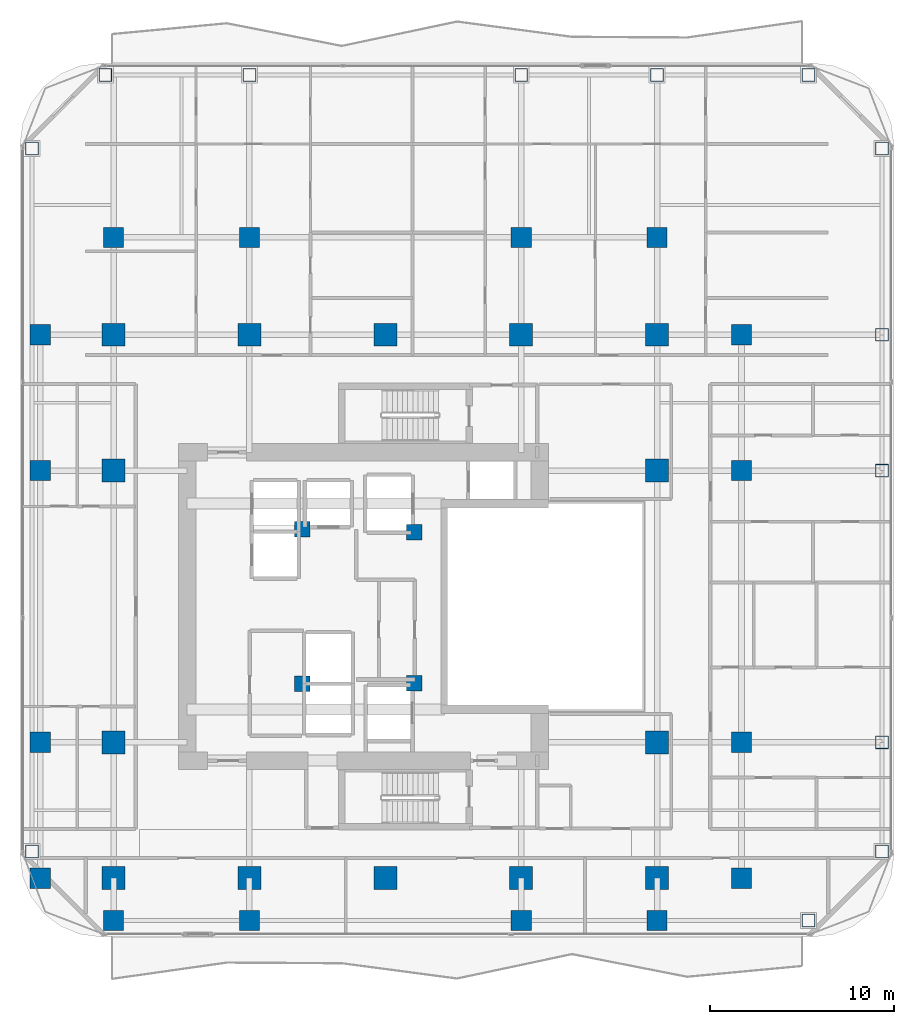
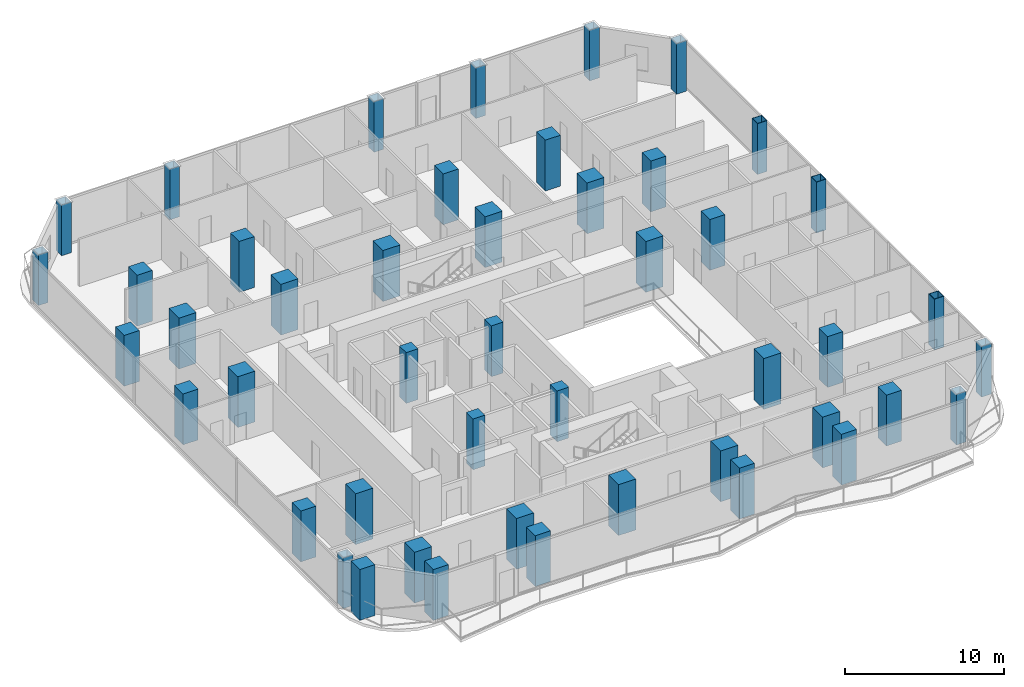
# One storey, part 1 of 27: 47 columns.
"""IFC4 building model written with IfcOpenShell, lengths in metres."""

from ifc_helpers import new_model, si_unit, direction, frame, origin, origin_2d, place, context, subcontext, project, spatial, rectangle, hollow_rectangle, extrude, material, material_profile, profile_set, type_object, element, save


model = new_model("IFC4")

# Units and contexts
model_context = context("Model", 3, precision=1e-05, world=origin(), true_north=direction((0.0, 1.0)))
body_context = subcontext(model_context, "Body", "Model", "MODEL_VIEW")
ifc_project = project(units=[si_unit("LENGTHUNIT", "METRE"), si_unit("AREAUNIT", "SQUARE_METRE"), si_unit("VOLUMEUNIT", "CUBIC_METRE"), si_unit("PLANEANGLEUNIT", "RADIAN"), si_unit("MASSUNIT", "GRAM", prefix="KILO")], contexts=[model_context])

# Site, building, storey
site_placement = place(None, origin())
site = spatial("IfcSite", under=ifc_project, at=site_placement, CompositionType="ELEMENT")
building_placement = place(site_placement, origin())
building = spatial("IfcBuilding", under=site, at=building_placement, Name="Khorvyn Point Tower", CompositionType="ELEMENT")
storey_placement = place(building_placement, frame((0.0, 0.0, 132.89990234375)))
storey = spatial("IfcBuildingStorey", under=building, at=storey_placement, Name="L33", CompositionType="ELEMENT", Elevation=132.89990234375)

# Columns
ifc_material_1 = material(Name="Concrete C40/50", Category="concrete")
ifc_material_profile_1 = material_profile(ifc_material_1, rectangle(XDim=0.85009765625, YDim=0.85009765625, at=origin_2d()))
ifc_profile_set_1 = profile_set([ifc_material_profile_1], Name="Concrete C40/50 RC850x850")
column_type_1 = type_object("IfcColumnType", Name="Concrete C40/50 Column RC850x850", PredefinedType="COLUMN", material=ifc_profile_set_1)
for number, where, z_axis, x_axis, name in (
    (1, (-4.52001953125, -4.199951171875, 0.0), (0.0, 0.0, 1.0), (1.0, 0.0, 0.0), "L33 Crown Core Spine Column 1"),
    (2, (1.580078125, -4.179931640625, 0.0), (0.0, 0.0, 1.0), (1.0, 0.0, 0.0), "L33 Crown Core Spine Column 2"),
    (3, (1.580078125, 4.050048828125, 0.0), (0.0, 0.0, 1.0), (1.0, 0.0, 0.0), "L33 Crown Core Spine Column 3"),
    (4, (-4.52001953125, 4.199951171875, 0.0), (0.0, 0.0, 1.0), (1.0, 0.0, 0.0), "L33 Crown Core Spine Column 4"),
):
    element("IfcColumn", number, at=place(storey_placement, frame(where, z_axis=z_axis, x_axis=x_axis)), inside=storey, type_object=column_type_1, Name=name, PredefinedType="COLUMN", context=body_context, shape_type="SweptSolid", body=[
        extrude(rectangle(XDim=0.85009765625, YDim=0.85009765625, at=origin_2d()), origin(), (0.0, 0.0, 1.0), 3.900146484375),
    ])
ifc_material_2 = material(Name="Concrete C45/55", Category="concrete")
ifc_material_profile_2 = material_profile(ifc_material_2, rectangle(XDim=1.10009765625, YDim=1.10009765625, at=origin_2d()))
ifc_profile_set_2 = profile_set([ifc_material_profile_2], Name="Concrete C45/55 RC1100x1100")
column_type_2 = type_object("IfcColumnType", Name="Concrete C45/55 Column RC1100x1100", PredefinedType="COLUMN", material=ifc_profile_set_2)
for number, where, z_axis, x_axis, name in (
    (5, (-18.800048828125, -14.800048828125, 0.0), (0.0, 0.0, 1.0), (1.0, 0.0, 0.0), "L33 Intermediate Column ICW--14"),
    (6, (-18.800048828125, -7.39990234375, 0.0), (0.0, 0.0, 1.0), (1.0, 0.0, 0.0), "L33 Intermediate Column ICW--7"),
    (7, (-18.800048828125, 7.39990234375, 0.0), (0.0, 0.0, 1.0), (1.0, 0.0, 0.0), "L33 Intermediate Column ICW-7"),
    (8, (-18.800048828125, 14.800048828125, 0.0), (0.0, 0.0, 1.0), (1.0, 0.0, 0.0), "L33 Intermediate Column ICW-14"),
    (9, (19.39990234375, -14.800048828125, 0.0), (0.0, 0.0, 1.0), (1.0, 0.0, 0.0), "L33 Intermediate Column ICE--14"),
    (10, (19.39990234375, -7.39990234375, 0.0), (0.0, 0.0, 1.0), (1.0, 0.0, 0.0), "L33 Intermediate Column ICE--7"),
    (11, (19.39990234375, 7.39990234375, 0.0), (0.0, 0.0, 1.0), (1.0, 0.0, 0.0), "L33 Intermediate Column ICE-7"),
    (12, (19.39990234375, 14.800048828125, 0.0), (0.0, 0.0, 1.0), (1.0, 0.0, 0.0), "L33 Intermediate Column ICE-14"),
    (13, (-14.800048828125, -17.10009765625, 0.0), (0.0, 0.0, 1.0), (1.0, 0.0, 0.0), "L33 Intermediate Column ICS--14"),
    (14, (-7.39990234375, -17.10009765625, 0.0), (0.0, 0.0, 1.0), (1.0, 0.0, 0.0), "L33 Intermediate Column ICS--7"),
    (15, (7.39990234375, -17.10009765625, 0.0), (0.0, 0.0, 1.0), (1.0, 0.0, 0.0), "L33 Intermediate Column ICS-7"),
    (16, (14.800048828125, -17.10009765625, 0.0), (0.0, 0.0, 1.0), (1.0, 0.0, 0.0), "L33 Intermediate Column ICS-14"),
    (17, (-14.800048828125, 20.10009765625, 0.0), (0.0, 0.0, 1.0), (1.0, 0.0, 0.0), "L33 Intermediate Column ICN--14"),
    (18, (-7.39990234375, 20.10009765625, 0.0), (0.0, 0.0, 1.0), (1.0, 0.0, 0.0), "L33 Intermediate Column ICN--7"),
    (19, (7.39990234375, 20.10009765625, 0.0), (0.0, 0.0, 1.0), (1.0, 0.0, 0.0), "L33 Intermediate Column ICN-7"),
    (20, (14.800048828125, 20.10009765625, 0.0), (0.0, 0.0, 1.0), (1.0, 0.0, 0.0), "L33 Intermediate Column ICN-14"),
):
    element("IfcColumn", number, at=place(storey_placement, frame(where, z_axis=z_axis, x_axis=x_axis)), inside=storey, type_object=column_type_2, Name=name, PredefinedType="COLUMN", context=body_context, shape_type="SweptSolid", body=[
        extrude(rectangle(XDim=1.10009765625, YDim=1.10009765625, at=origin_2d()), origin(), (0.0, 0.0, 1.0), 3.900146484375),
    ])
ifc_material_3 = material(Name="Concrete C50/60", Category="concrete")
ifc_material_profile_3 = material_profile(ifc_material_3, rectangle(XDim=1.25, YDim=1.25, at=origin_2d()))
ifc_profile_set_3 = profile_set([ifc_material_profile_3], Name="Concrete C50/60 RC1250x1250")
column_type_3 = type_object("IfcColumnType", Name="Concrete C50/60 Column RC1250x1250", PredefinedType="COLUMN", material=ifc_profile_set_3)
for number, where, z_axis, x_axis, name in (
    (21, (-14.800048828125, -14.800048828125, 0.0), (0.0, 0.0, 1.0), (1.0, 0.0, 0.0), "L33 Mega-Column MC-01"),
    (22, (-7.39990234375, -14.800048828125, 0.0), (0.0, 0.0, 1.0), (1.0, 0.0, 0.0), "L33 Mega-Column MC-02"),
    (23, (0.0, -14.800048828125, 0.0), (0.0, 0.0, 1.0), (1.0, 0.0, 0.0), "L33 Mega-Column MC-03"),
    (24, (7.39990234375, -14.800048828125, 0.0), (0.0, 0.0, 1.0), (1.0, 0.0, 0.0), "L33 Mega-Column MC-04"),
    (25, (14.800048828125, -14.800048828125, 0.0), (0.0, 0.0, 1.0), (1.0, 0.0, 0.0), "L33 Mega-Column MC-05"),
    (26, (-14.800048828125, 14.800048828125, 0.0), (0.0, 0.0, 1.0), (1.0, 0.0, 0.0), "L33 Mega-Column MC-06"),
    (27, (-7.39990234375, 14.800048828125, 0.0), (0.0, 0.0, 1.0), (1.0, 0.0, 0.0), "L33 Mega-Column MC-07"),
    (28, (0.0, 14.800048828125, 0.0), (0.0, 0.0, 1.0), (1.0, 0.0, 0.0), "L33 Mega-Column MC-08"),
    (29, (7.39990234375, 14.800048828125, 0.0), (0.0, 0.0, 1.0), (1.0, 0.0, 0.0), "L33 Mega-Column MC-09"),
    (30, (14.800048828125, 14.800048828125, 0.0), (0.0, 0.0, 1.0), (1.0, 0.0, 0.0), "L33 Mega-Column MC-10"),
    (31, (-14.800048828125, -7.39990234375, 0.0), (0.0, 0.0, 1.0), (1.0, 0.0, 0.0), "L33 Mega-Column MC-11"),
    (32, (-14.800048828125, 7.39990234375, 0.0), (0.0, 0.0, 1.0), (1.0, 0.0, 0.0), "L33 Mega-Column MC-12"),
    (33, (14.800048828125, -7.39990234375, 0.0), (0.0, 0.0, 1.0), (1.0, 0.0, 0.0), "L33 Mega-Column MC-13"),
    (34, (14.800048828125, 7.39990234375, 0.0), (0.0, 0.0, 1.0), (1.0, 0.0, 0.0), "L33 Mega-Column MC-14"),
):
    element("IfcColumn", number, at=place(storey_placement, frame(where, z_axis=z_axis, x_axis=x_axis)), inside=storey, type_object=column_type_3, Name=name, PredefinedType="COLUMN", context=body_context, shape_type="SweptSolid", body=[
        extrude(rectangle(XDim=1.25, YDim=1.25, at=origin_2d()), origin(), (0.0, 0.0, 1.0), 3.900146484375),
    ])
ifc_material_4 = material(Name="Steel S450", Category="steel")
ifc_material_profile_4 = material_profile(ifc_material_4, hollow_rectangle(XDim=0.699951171875, YDim=0.699951171875, WallThickness=0.031982421875, at=origin_2d()))
ifc_profile_set_4 = profile_set([ifc_material_profile_4], Name="Steel S450 BOX700x700x32")
column_type_4 = type_object("IfcColumnType", Name="Steel S450 Structural Column BOX700x700x32", PredefinedType="COLUMN", material=ifc_profile_set_4)
for number, where, z_axis, x_axis, name in (
    (35, (23.050048828125, -17.10009765625, 0.0), (0.0, 0.0, 1.0), (1.0, 0.0, 0.0), "L33 Perimeter Tube Column TC-01"),
    (36, (-15.25, 28.949951171875, 0.0), (0.0, 0.0, 1.0), (1.0, 0.0, 0.0), "L33 Perimeter Tube Column TC-02"),
    (37, (23.050048828125, 28.949951171875, 0.0), (0.0, 0.0, 1.0), (1.0, 0.0, 0.0), "L33 Perimeter Tube Column TC-03"),
    (38, (-19.25, -13.35009765625, 0.0), (0.0, 0.0, 1.0), (1.0, 0.0, 0.0), "L33 Perimeter Tube Column TC-04"),
    (39, (-19.25, 24.949951171875, 0.0), (0.0, 0.0, 1.0), (1.0, 0.0, 0.0), "L33 Perimeter Tube Column TC-05"),
    (40, (27.050048828125, -13.35009765625, 0.0), (0.0, 0.0, 1.0), (1.0, 0.0, 0.0), "L33 Perimeter Tube Column TC-06"),
    (41, (27.050048828125, 24.949951171875, 0.0), (0.0, 0.0, 1.0), (1.0, 0.0, 0.0), "L33 Perimeter Tube Column TC-07"),
    (42, (-7.39990234375, 28.949951171875, 0.0), (0.0, 0.0, 1.0), (1.0, 0.0, 0.0), "L33 Perimeter Tube Column TC-08"),
    (43, (7.39990234375, 28.949951171875, 0.0), (0.0, 0.0, 1.0), (1.0, 0.0, 0.0), "L33 Perimeter Tube Column TC-09"),
    (44, (14.800048828125, 28.949951171875, 0.0), (0.0, 0.0, 1.0), (1.0, 0.0, 0.0), "L33 Perimeter Tube Column TC-10"),
    (45, (27.050048828125, -7.39990234375, 0.0), (0.0, 0.0, 1.0), (1.0, 0.0, 0.0), "L33 Perimeter Tube Column TC-11"),
    (46, (27.050048828125, 7.39990234375, 0.0), (0.0, 0.0, 1.0), (1.0, 0.0, 0.0), "L33 Perimeter Tube Column TC-12"),
    (47, (27.050048828125, 14.800048828125, 0.0), (0.0, 0.0, 1.0), (1.0, 0.0, 0.0), "L33 Perimeter Tube Column TC-13"),
):
    element("IfcColumn", number, at=place(storey_placement, frame(where, z_axis=z_axis, x_axis=x_axis)), inside=storey, type_object=column_type_4, Name=name, PredefinedType="COLUMN", context=body_context, shape_type="SweptSolid", body=[
        extrude(hollow_rectangle(XDim=0.699951171875, YDim=0.699951171875, WallThickness=0.031982421875, at=origin_2d()), origin(), (0.0, 0.0, 1.0), 3.900146484375),
    ])

save(model, "model.ifc")
